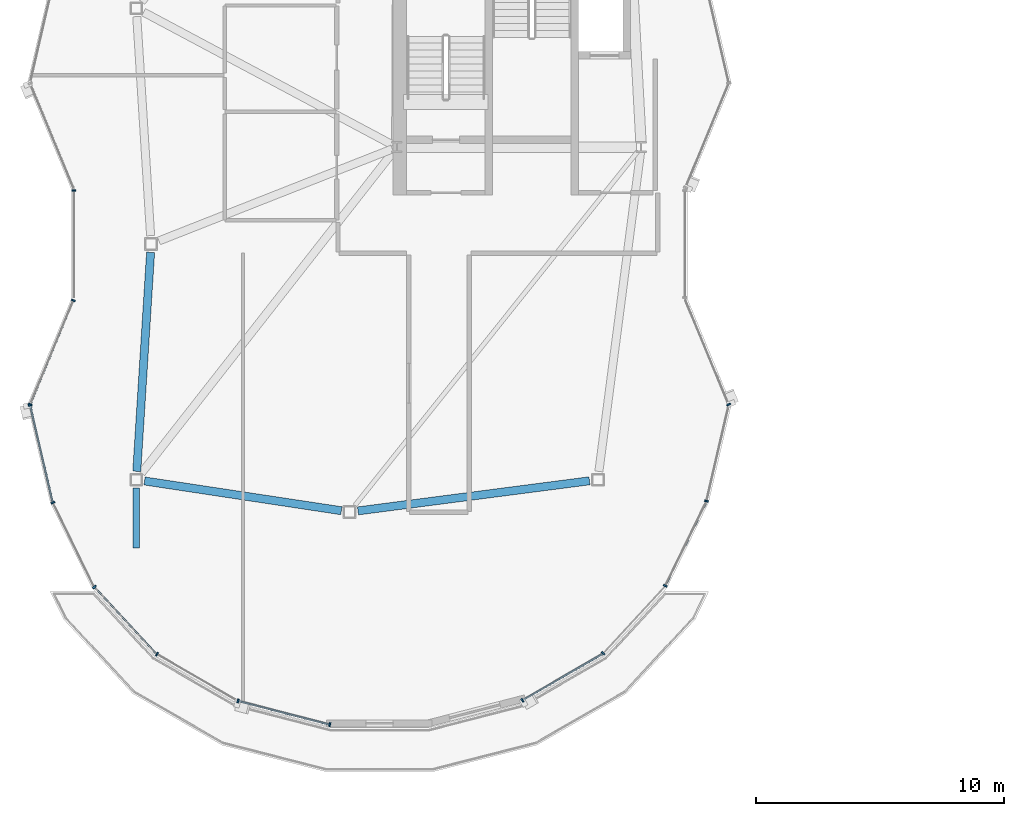
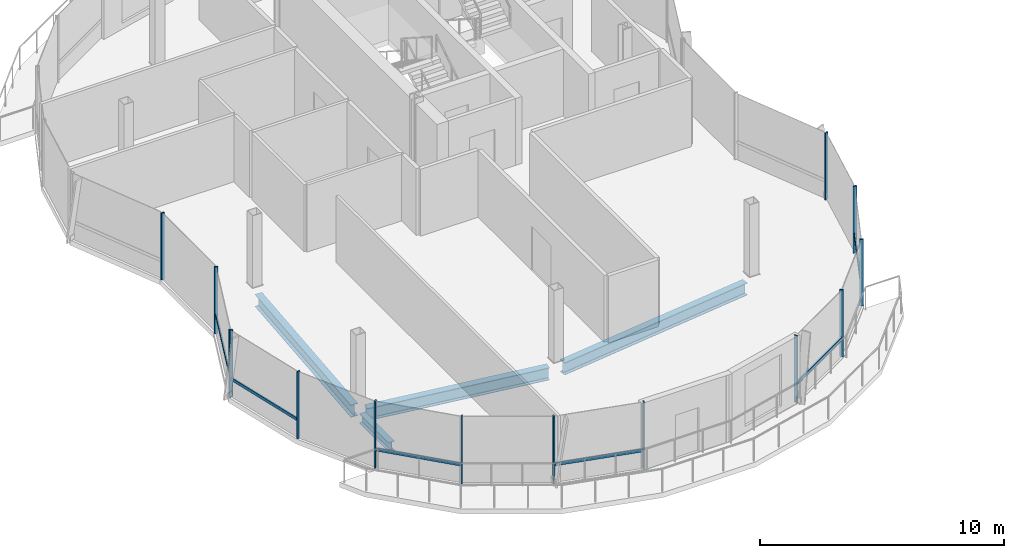
# One storey, part 3 of 20: 20 members, 4 beams, 3 elements without a shape of their own.
"""IFC4 building model written with IfcOpenShell, lengths in metres."""

from ifc_helpers import new_model, si_unit, direction, frame, origin, origin_2d, place, context, subcontext, project, spatial, rectangle, i_section, extrude, material, material_profile, profile_set, type_object, element, aggregate, save


model = new_model("IFC4")

# Units and contexts
model_context = context("Model", 3, precision=1e-05, world=origin(), true_north=direction((0.0, 1.0)))
body_context = subcontext(model_context, "Body", "Model", "MODEL_VIEW")
ifc_project = project(units=[si_unit("LENGTHUNIT", "METRE"), si_unit("AREAUNIT", "SQUARE_METRE"), si_unit("VOLUMEUNIT", "CUBIC_METRE"), si_unit("PLANEANGLEUNIT", "RADIAN"), si_unit("MASSUNIT", "GRAM", prefix="KILO"), si_unit("THERMODYNAMICTEMPERATUREUNIT", "KELVIN"), si_unit("POWERUNIT", "WATT")], contexts=[model_context])

# Site, building, storey
site_placement = place(None, origin())
site = spatial("IfcSite", under=ifc_project, at=site_placement, CompositionType="ELEMENT")
building_placement = place(site_placement, origin())
building = spatial("IfcBuilding", under=site, at=building_placement, Name="Cundina Bronze Exchange", CompositionType="ELEMENT")
storey_placement = place(building_placement, frame((0.0, 0.0, 282.800048828125)))
storey = spatial("IfcBuildingStorey", under=building, at=storey_placement, Name="L75", CompositionType="ELEMENT", Elevation=282.800048828125)

# Beams
ifc_material_1 = material(Name="Steel ASTM A992 Grade 50", Category="steel")
ifc_material_profile_1 = material_profile(ifc_material_1, i_section(OverallWidth=0.280029296875, OverallDepth=0.462890625, WebThickness=0.0107421875, FlangeThickness=0.017333984375, FilletRadius=0.011962890625, at=origin_2d()), Name="W18X76", Category="steel")
ifc_profile_set_1 = profile_set([ifc_material_profile_1], Name="Steel ASTM A992 Grade 50")
beam_type_1 = type_object("IfcBeamType", Name="BM-FLR-W18A", PredefinedType="BEAM", material=ifc_profile_set_1)
beam_1_placement = place(storey_placement, frame((-41.800048828125, -9.837890625, -0.49658203125), z_axis=(0.0, -1.0, 0.0), x_axis=(1.0, 0.0, 0.0)))
element("IfcBeam", 1, at=beam_1_placement, inside=storey, type_object=beam_type_1, Name="L75 W Crown Terrace Edge Bracket 2", PredefinedType="BEAM", context=body_context, shape_type="SweptSolid", body=[
    extrude(i_section(OverallWidth=0.280029296875, OverallDepth=0.462890625, WebThickness=0.0107421875, FlangeThickness=0.017333984375, FilletRadius=0.011962890625, at=origin_2d()), origin(), (0.0, 0.0, 1.0), 2.412109375),
])
ifc_material_profile_2 = material_profile(ifc_material_1, i_section(OverallWidth=0.324951171875, OverallDepth=0.615966796875, WebThickness=0.013916015625, FlangeThickness=0.021484375, FilletRadius=0.01611328125, at=origin_2d()), Name="W24X117", Category="steel")
ifc_profile_set_2 = profile_set([ifc_material_profile_2], Name="Steel ASTM A992 Grade 50")
beam_type_2 = type_object("IfcBeamType", Name="BM-RING-W24", PredefinedType="USERDEFINED", material=ifc_profile_set_2)
beam_2_placement = place(storey_placement, frame((-41.22119140625, -0.33740234375, -0.568115234375), z_axis=(-0.063058935332, -0.998009804899, 0.0), x_axis=(0.998009804899, -0.063058935332, 0.0)))
element("IfcBeam", 2, at=beam_2_placement, inside=storey, type_object=beam_type_2, Name="L75 W Inner Structural Ring Girder 04", ObjectType="GIRDER", PredefinedType="USERDEFINED", context=body_context, shape_type="SweptSolid", body=[
    extrude(i_section(OverallWidth=0.324951171875, OverallDepth=0.615966796875, WebThickness=0.013916015625, FlangeThickness=0.021484375, FilletRadius=0.01611328125, at=origin_2d()), origin(), (0.0, 0.0, 1.0), 8.8427734375),
])
beam_3_placement = place(storey_placement, frame((-41.4658203125, -9.550537109375, -0.568115234375), z_axis=(0.988766944604, -0.149465478483, 0.0), x_axis=(0.149465478483, 0.988766944604, 0.0)))
element("IfcBeam", 3, at=beam_3_placement, inside=storey, type_object=beam_type_2, Name="L75 W Inner Structural Ring Girder 05", ObjectType="GIRDER", PredefinedType="USERDEFINED", context=body_context, shape_type="SweptSolid", body=[
    extrude(i_section(OverallWidth=0.324951171875, OverallDepth=0.615966796875, WebThickness=0.013916015625, FlangeThickness=0.021484375, FilletRadius=0.01611328125, at=origin_2d()), origin(), (0.0, 0.0, 1.0), 8.021728515625),
])
beam_4_placement = place(storey_placement, frame((-32.86474609375, -10.75634765625, -0.568115234375), z_axis=(0.991658337433, 0.128894304758, 0.0), x_axis=(-0.128894304758, 0.991658337433, 0.0)))
element("IfcBeam", 4, at=beam_4_placement, inside=storey, type_object=beam_type_2, Name="L75 W Inner Structural Ring Girder 06", ObjectType="GIRDER", PredefinedType="USERDEFINED", context=body_context, shape_type="SweptSolid", body=[
    extrude(i_section(OverallWidth=0.324951171875, OverallDepth=0.615966796875, WebThickness=0.013916015625, FlangeThickness=0.021484375, FilletRadius=0.01611328125, at=origin_2d()), origin(), (0.0, 0.0, 1.0), 9.407958984375),
])

# Curtain wall, members
ifc_material_2 = material(Name="Anodised Bronze Aluminium 6063-T6", Category="aluminium")
curtain_wall_type = type_object("IfcCurtainWallType", Name="CWS-CRN-TMD", PredefinedType="NOTDEFINED", material=ifc_material_2)
curtain_wall_1_placement = place(storey_placement, origin())
curtain_wall_1 = element("IfcCurtainWall", 5, at=curtain_wall_1_placement, inside=storey, type_object=curtain_wall_type, Name="L75 CW-07 Curtain Wall Run CWR-L75-W2", PredefinedType="NOTDEFINED")
ifc_material_profile_3 = material_profile(ifc_material_2, rectangle(XDim=0.06494140625, YDim=0.159912109375, at=origin_2d()), Name="AL65X160", Category="aluminium")
ifc_profile_set_3 = profile_set([ifc_material_profile_3], Name="Anodised Bronze Aluminium 6063-T6")
member_type_1 = type_object("IfcMemberType", Name="CWM-MUL-160", PredefinedType="MULLION", material=ifc_profile_set_3)
member_1_placement = place(storey_placement, frame((-44.31005859375, 2.1494140625, 0.0), z_axis=(0.0, 0.0, 1.0), x_axis=(0.0, -1.0, 0.0)))
member_1 = element("IfcMember", 6, at=member_1_placement, type_object=member_type_1, Name="CW-07 Mullion 6", PredefinedType="MULLION", context=body_context, shape_type="SweptSolid", body=[
    extrude(rectangle(XDim=0.06494140625, YDim=0.159912109375, at=origin_2d()), origin(), (0.0, 0.0, 1.0), 3.33984375),
])
member_2_placement = place(storey_placement, frame((-44.335205078125, -2.275390625, 0.0), z_axis=(0.0, 0.0, 1.0), x_axis=(-0.383167122078, -0.9236790333, 0.0)))
member_2 = element("IfcMember", 7, at=member_2_placement, type_object=member_type_1, Name="CW-07 Mullion 7", PredefinedType="MULLION", context=body_context, shape_type="SweptSolid", body=[
    extrude(rectangle(XDim=0.06494140625, YDim=0.159912109375, at=origin_2d()), origin(), (0.0, 0.0, 1.0), 3.33984375),
])
member_3_placement = place(storey_placement, frame((-46.0751953125, -6.46923828125, 0.0), z_axis=(0.0, 0.0, 1.0), x_axis=(-0.383167122078, -0.9236790333, 0.0)))
member_3 = element("IfcMember", 8, at=member_3_placement, type_object=member_type_1, Name="CW-07 End Mullion", PredefinedType="MULLION", context=body_context, shape_type="SweptSolid", body=[
    extrude(rectangle(XDim=0.06494140625, YDim=0.159912109375, at=origin_2d()), origin(), (0.0, 0.0, 1.0), 3.33984375),
])

curtain_wall_2_placement = place(storey_placement, origin())
curtain_wall_2 = element("IfcCurtainWall", 9, at=curtain_wall_2_placement, inside=storey, type_object=curtain_wall_type, Name="L75 CW-07 Curtain Wall Run CWR-L75-W3", PredefinedType="NOTDEFINED")
member_4_placement = place(storey_placement, frame((-46.077392578125, -6.49462890625, 0.0), z_axis=(0.0, 0.0, 1.0), x_axis=(0.226311311886, -0.974055024171, 0.0)))
member_4 = element("IfcMember", 10, at=member_4_placement, type_object=member_type_1, Name="CW-07 Mullion 1", PredefinedType="MULLION", context=body_context, shape_type="SweptSolid", body=[
    extrude(rectangle(XDim=0.06494140625, YDim=0.159912109375, at=origin_2d()), origin(), (0.0, 0.0, 1.0), 3.33984375),
])
member_5_placement = place(storey_placement, frame((-45.15625, -10.4248046875, 0.0), z_axis=(0.0, 0.0, 1.0), x_axis=(0.439312121178, -0.898334492373, 0.0)))
member_5 = element("IfcMember", 11, at=member_5_placement, type_object=member_type_1, Name="CW-07 Mullion 2", PredefinedType="MULLION", context=body_context, shape_type="SweptSolid", body=[
    extrude(rectangle(XDim=0.06494140625, YDim=0.159912109375, at=origin_2d()), origin(), (0.0, 0.0, 1.0), 3.33984375),
])
member_6_placement = place(storey_placement, frame((-43.483642578125, -13.824462890625, 0.0), z_axis=(0.0, 0.0, 1.0), x_axis=(0.679057031084, -0.734085518544, 0.0)))
member_6 = element("IfcMember", 12, at=member_6_placement, type_object=member_type_1, Name="CW-07 Mullion 3", PredefinedType="MULLION", context=body_context, shape_type="SweptSolid", body=[
    extrude(rectangle(XDim=0.06494140625, YDim=0.159912109375, at=origin_2d()), origin(), (0.0, 0.0, 1.0), 3.33984375),
])
member_7_placement = place(storey_placement, frame((-40.966552734375, -16.5322265625, 0.0), z_axis=(0.0, 0.0, 1.0), x_axis=(0.86532642813, -0.501208711795, 0.0)))
member_7 = element("IfcMember", 13, at=member_7_placement, type_object=member_type_1, Name="CW-07 Mullion 4", PredefinedType="MULLION", context=body_context, shape_type="SweptSolid", body=[
    extrude(rectangle(XDim=0.06494140625, YDim=0.159912109375, at=origin_2d()), origin(), (0.0, 0.0, 1.0), 3.33984375),
])
member_8_placement = place(storey_placement, frame((-37.699951171875, -18.41455078125, 0.0), z_axis=(0.0, 0.0, 1.0), x_axis=(0.96832220265, -0.249704048534, 0.0)))
member_8 = element("IfcMember", 14, at=member_8_placement, type_object=member_type_1, Name="CW-07 Mullion 5", PredefinedType="MULLION", context=body_context, shape_type="SweptSolid", body=[
    extrude(rectangle(XDim=0.06494140625, YDim=0.159912109375, at=origin_2d()), origin(), (0.0, 0.0, 1.0), 3.33984375),
])
member_9_placement = place(storey_placement, frame((-34.0, -19.368896484375, 0.0), z_axis=(0.0, 0.0, 1.0), x_axis=(0.96832220265, -0.249704048534, 0.0)))
member_9 = element("IfcMember", 15, at=member_9_placement, type_object=member_type_1, Name="CW-07 End Mullion", PredefinedType="MULLION", context=body_context, shape_type="SweptSolid", body=[
    extrude(rectangle(XDim=0.06494140625, YDim=0.159912109375, at=origin_2d()), origin(), (0.0, 0.0, 1.0), 3.33984375),
])

curtain_wall_3_placement = place(storey_placement, origin())
curtain_wall_3 = element("IfcCurtainWall", 16, at=curtain_wall_3_placement, inside=storey, type_object=curtain_wall_type, Name="L75 CW-07 Curtain Wall Run CWR-L75-W4", PredefinedType="NOTDEFINED")
member_10_placement = place(storey_placement, frame((-26.24169921875, -18.390625, 0.0), z_axis=(0.0, 0.0, 1.0), x_axis=(0.86532642813, 0.501208711795, 0.0)))
member_10 = element("IfcMember", 17, at=member_10_placement, type_object=member_type_1, Name="CW-07 Mullion 1", PredefinedType="MULLION", context=body_context, shape_type="SweptSolid", body=[
    extrude(rectangle(XDim=0.06494140625, YDim=0.159912109375, at=origin_2d()), origin(), (0.0, 0.0, 1.0), 3.33984375),
])
member_11_placement = place(storey_placement, frame((-22.986572265625, -16.49462890625, 0.0), z_axis=(0.0, 0.0, 1.0), x_axis=(0.679057031084, 0.734085518544, 0.0)))
member_11 = element("IfcMember", 18, at=member_11_placement, type_object=member_type_1, Name="CW-07 Mullion 2", PredefinedType="MULLION", context=body_context, shape_type="SweptSolid", body=[
    extrude(rectangle(XDim=0.06494140625, YDim=0.159912109375, at=origin_2d()), origin(), (0.0, 0.0, 1.0), 3.33984375),
])
member_12_placement = place(storey_placement, frame((-20.481689453125, -13.774169921875, 0.0), z_axis=(0.0, 0.0, 1.0), x_axis=(0.439312121178, 0.898334492373, 0.0)))
member_12 = element("IfcMember", 19, at=member_12_placement, type_object=member_type_1, Name="CW-07 Mullion 3", PredefinedType="MULLION", context=body_context, shape_type="SweptSolid", body=[
    extrude(rectangle(XDim=0.06494140625, YDim=0.159912109375, at=origin_2d()), origin(), (0.0, 0.0, 1.0), 3.33984375),
])
member_13_placement = place(storey_placement, frame((-18.821044921875, -10.361083984375, 0.0), z_axis=(0.0, 0.0, 1.0), x_axis=(0.226311311886, 0.974055024171, 0.0)))
member_13 = element("IfcMember", 20, at=member_13_placement, type_object=member_type_1, Name="CW-07 Mullion 4", PredefinedType="MULLION", context=body_context, shape_type="SweptSolid", body=[
    extrude(rectangle(XDim=0.06494140625, YDim=0.159912109375, at=origin_2d()), origin(), (0.0, 0.0, 1.0), 3.33984375),
])
member_14_placement = place(storey_placement, frame((-17.9248046875, -6.46923828125, 0.0), z_axis=(0.0, 0.0, 1.0), x_axis=(-0.383167122078, 0.9236790333, 0.0)))
member_14 = element("IfcMember", 21, at=member_14_placement, type_object=member_type_1, Name="CW-07 Mullion 5", PredefinedType="MULLION", context=body_context, shape_type="SweptSolid", body=[
    extrude(rectangle(XDim=0.06494140625, YDim=0.159912109375, at=origin_2d()), origin(), (0.0, 0.0, 1.0), 3.33984375),
])

# Member
ifc_material_profile_4 = material_profile(ifc_material_2, rectangle(XDim=0.06494140625, YDim=0.14990234375, at=origin_2d()), Name="AL65X150", Category="aluminium")
ifc_profile_set_4 = profile_set([ifc_material_profile_4], Name="Anodised Bronze Aluminium 6063-T6")
member_type_2 = type_object("IfcMemberType", Name="CWM-TRN-150", PredefinedType="USERDEFINED", material=ifc_profile_set_4)
member_15_placement = place(storey_placement, frame((-44.348876953125, -2.308349609375, 0.919921875), z_axis=(-0.383218525152, -0.923657708234, 0.0), x_axis=(0.923657708234, -0.383218525152, 0.0)))
member_15 = element("IfcMember", 22, at=member_15_placement, type_object=member_type_2, Name="CW-07 Spandrel Transom 7", ObjectType="TRANSOM", PredefinedType="USERDEFINED", context=body_context, shape_type="SweptSolid", body=[
    extrude(rectangle(XDim=0.06494140625, YDim=0.14990234375, at=origin_2d()), origin(), (0.0, 0.0, 1.0), 4.468994140625),
])

aggregate(curtain_wall_1, [member_1, member_2, member_3, member_15])

member_16_placement = place(storey_placement, frame((-46.069091796875, -6.529541015625, 0.919921875), z_axis=(0.226278732099, -0.974062593163, 0.0), x_axis=(0.974062593163, 0.226278732099, 0.0)))
member_16 = element("IfcMember", 23, at=member_16_placement, type_object=member_type_2, Name="CW-07 Spandrel Transom 1", ObjectType="TRANSOM", PredefinedType="USERDEFINED", context=body_context, shape_type="SweptSolid", body=[
    extrude(rectangle(XDim=0.06494140625, YDim=0.14990234375, at=origin_2d()), origin(), (0.0, 0.0, 1.0), 3.969482421875),
])

member_17_placement = place(storey_placement, frame((-43.45947265625, -13.8505859375, 0.919921875), z_axis=(0.679054640181, -0.734087730213, 0.0), x_axis=(0.734087730213, 0.679054640181, 0.0)))
member_17 = element("IfcMember", 24, at=member_17_placement, type_object=member_type_2, Name="CW-07 Spandrel Transom 3", ObjectType="TRANSOM", PredefinedType="USERDEFINED", context=body_context, shape_type="SweptSolid", body=[
    extrude(rectangle(XDim=0.06494140625, YDim=0.14990234375, at=origin_2d()), origin(), (0.0, 0.0, 1.0), 3.6376953125),
])

member_18_placement = place(storey_placement, frame((-37.665283203125, -18.423583984375, 0.919921875), z_axis=(0.968319491481, -0.249714561887, 0.0), x_axis=(0.249714561887, 0.968319491481, 0.0)))
member_18 = element("IfcMember", 25, at=member_18_placement, type_object=member_type_2, Name="CW-07 Spandrel Transom 5", ObjectType="TRANSOM", PredefinedType="USERDEFINED", context=body_context, shape_type="SweptSolid", body=[
    extrude(rectangle(XDim=0.06494140625, YDim=0.14990234375, at=origin_2d()), origin(), (0.0, 0.0, 1.0), 3.74951171875),
])

aggregate(curtain_wall_2, [member_4, member_16, member_5, member_6, member_17, member_7, member_8, member_9, member_18])

member_19_placement = place(storey_placement, frame((-26.210693359375, -18.372802734375, 0.919921875), z_axis=(0.865294005039, 0.501264685415, 0.0), x_axis=(-0.501264685415, 0.865294005039, 0.0)))
member_19 = element("IfcMember", 26, at=member_19_placement, type_object=member_type_2, Name="CW-07 Spandrel Transom 1", ObjectType="TRANSOM", PredefinedType="USERDEFINED", context=body_context, shape_type="SweptSolid", body=[
    extrude(rectangle(XDim=0.06494140625, YDim=0.14990234375, at=origin_2d()), origin(), (0.0, 0.0, 1.0), 3.70751953125),
])

member_20_placement = place(storey_placement, frame((-20.466064453125, -13.7421875, 0.919921875), z_axis=(0.439312304643, 0.898334402653, 0.0), x_axis=(-0.898334402653, 0.439312304643, 0.0)))
member_20 = element("IfcMember", 27, at=member_20_placement, type_object=member_type_2, Name="CW-07 Spandrel Transom 3", ObjectType="TRANSOM", PredefinedType="USERDEFINED", context=body_context, shape_type="SweptSolid", body=[
    extrude(rectangle(XDim=0.06494140625, YDim=0.14990234375, at=origin_2d()), origin(), (0.0, 0.0, 1.0), 3.728515625),
])

aggregate(curtain_wall_3, [member_10, member_19, member_11, member_12, member_20, member_13, member_14])

save(model, "model.ifc")
